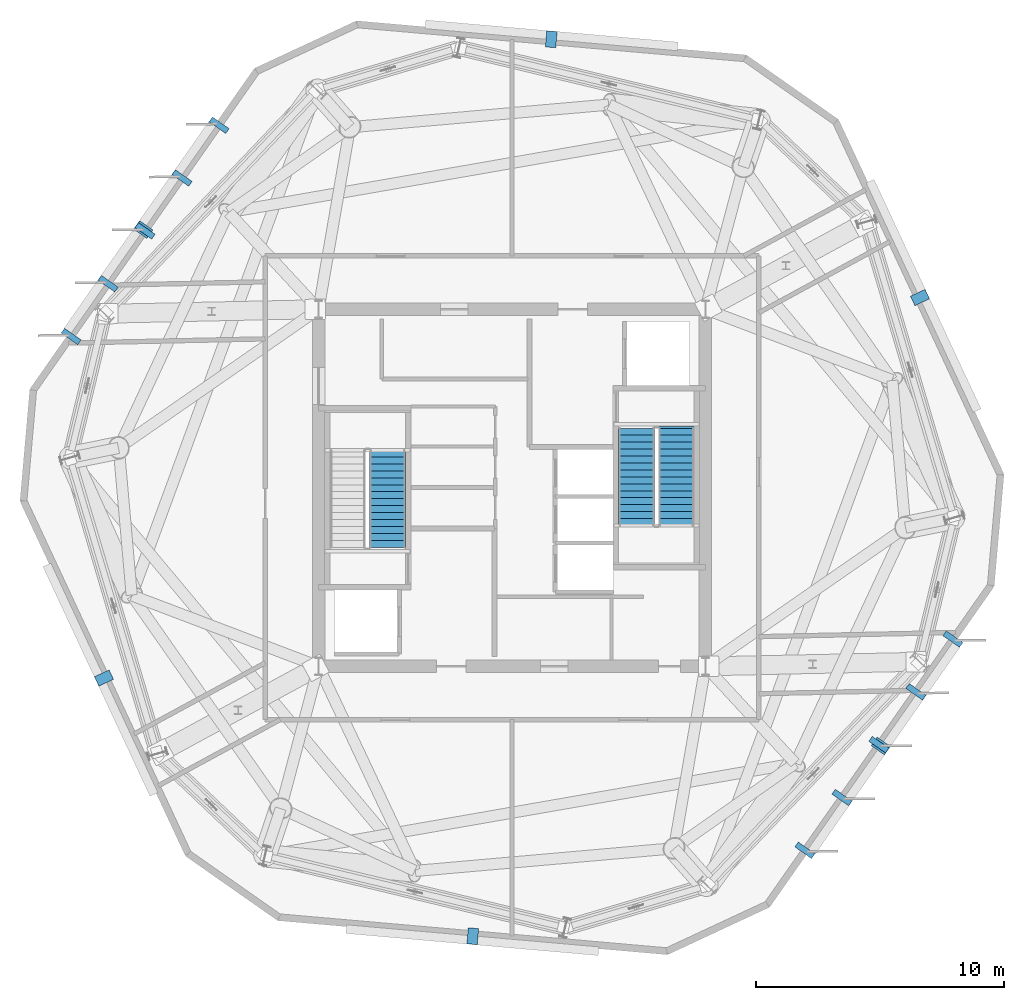
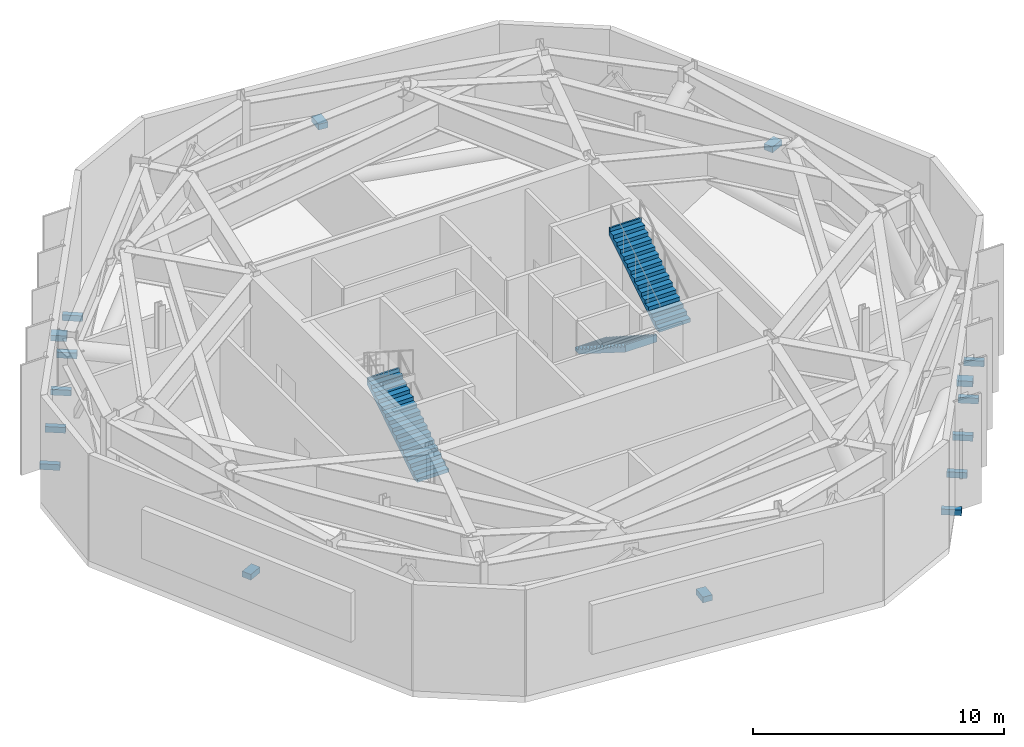
# One storey, part 7 of 10: 16 discrete accessories, 3 stair flights, 2 elements without a shape of their own.
"""IFC4 building model written with IfcOpenShell, lengths in metres."""

from ifc_helpers import new_model, si_unit, direction, frame, origin, origin_2d, place, context, subcontext, project, spatial, polyline, rectangle, outline, extrude, material, type_object, element, aggregate, save


model = new_model("IFC4")

# Units and contexts
model_context = context("Model", 3, precision=1e-05, world=origin(), true_north=direction((0.0, 1.0)))
body_context = subcontext(model_context, "Body", "Model", "MODEL_VIEW")
ifc_project = project(units=[si_unit("LENGTHUNIT", "METRE"), si_unit("AREAUNIT", "SQUARE_METRE"), si_unit("VOLUMEUNIT", "CUBIC_METRE"), si_unit("PLANEANGLEUNIT", "RADIAN"), si_unit("MASSUNIT", "GRAM", prefix="KILO")], contexts=[model_context])

# Site, building, storey
site_placement = place(None, origin())
site = spatial("IfcSite", under=ifc_project, at=site_placement, CompositionType="ELEMENT")
building_placement = place(site_placement, origin())
building = spatial("IfcBuilding", under=site, at=building_placement, Name="Kranzbogen Civic Tower", CompositionType="ELEMENT")
storey_placement = place(building_placement, frame((0.0, 0.0, 244.800048828125)))
storey = spatial("IfcBuildingStorey", under=building, at=storey_placement, Name="L59", CompositionType="ELEMENT", Elevation=244.800048828125)

# Stair, stair flight
ifc_material_1 = material(Name="Precast concrete C40/50", Category="concrete")
stair_type_1 = type_object("IfcStairType", Name="Tower Core Pressurized Dogleg Stair 1450", PredefinedType="HALF_TURN_STAIR", material=ifc_material_1)
stair_1_placement = place(storey_placement, origin())
stair_1 = element("IfcStair", 1, at=stair_1_placement, inside=storey, type_object=stair_type_1, Name="L59 Tower Core Pressurized Stair 1", PredefinedType="HALF_TURN_STAIR")
stair_flight_type = type_object("IfcStairFlightType", Name="Precast Concrete Stair Flight R180", PredefinedType="STRAIGHT", material=ifc_material_1)
stair_flight_1_placement = place(storey_placement, frame((19.97509765625, 22.60009765625, 0.0), z_axis=(0.0, 0.0, 1.0), x_axis=(0.0, 1.0, 0.0)))
stair_flight_1 = element("IfcStairFlight", 2, at=stair_flight_1_placement, type_object=stair_flight_type, Name="ST-T1 flight 1", NumberOfRisers=15, NumberOfTreads=14, PredefinedType="STRAIGHT", RiserHeight=0.18, TreadLength=0.28, context=body_context, shape_type="SweptSolid", body=[
    extrude(outline(polyline([(0.0, 0.0), (0.0, 0.179931640625), (0.280029296875, 0.179931640625), (0.280029296875, 0.360107421875), (0.56005859375, 0.360107421875), (0.56005859375, 0.5400390625), (0.840087890625, 0.5400390625), (0.840087890625, 0.719970703125), (1.1201171875, 0.719970703125), (1.1201171875, 0.89990234375), (1.39990234375, 0.89990234375), (1.39990234375, 1.080078125), (1.679931640625, 1.080078125), (1.679931640625, 1.260009765625), (1.9599609375, 1.260009765625), (1.9599609375, 1.43994140625), (2.239990234375, 1.43994140625), (2.239990234375, 1.6201171875), (2.52001953125, 1.6201171875), (2.52001953125, 1.800048828125), (2.800048828125, 1.800048828125), (2.800048828125, 1.97998046875), (3.080078125, 1.97998046875), (3.080078125, 2.159912109375), (3.360107421875, 2.159912109375), (3.360107421875, 2.340087890625), (3.639892578125, 2.340087890625), (3.639892578125, 2.52001953125), (3.919921875, 2.52001953125), (3.919921875, 2.699951171875), (4.0, 2.699951171875), (4.0, 2.341796875), (0.277099609375, 0.0), (0.0, 0.0)])), frame((0.0, 0.72509765625, 0.0), z_axis=(0.0, -1.0, 0.0), x_axis=(1.0, 0.0, 0.0)), (0.0, 0.0, 1.0), 1.449951171875),
])
aggregate(stair_1, [stair_flight_1])

# Stair, stair flights
stair_type_2 = type_object("IfcStairType", Name="Tower Core Secondary Dogleg Stair 1450", PredefinedType="HALF_TURN_STAIR", material=ifc_material_1)
stair_2_placement = place(storey_placement, origin())
stair_2 = element("IfcStair", 3, at=stair_2_placement, inside=storey, type_object=stair_type_2, Name="L59 Tower Core Pressurized Stair 2", PredefinedType="HALF_TURN_STAIR")
stair_flight_2_placement = place(storey_placement, frame((30.02490234375, 27.39990234375, 0.0), z_axis=(0.0, 0.0, 1.0), x_axis=(0.0, -1.0, 0.0)))
stair_flight_2 = element("IfcStairFlight", 4, at=stair_flight_2_placement, type_object=stair_flight_type, Name="ST-T2 flight 1", NumberOfRisers=15, NumberOfTreads=14, PredefinedType="STRAIGHT", RiserHeight=0.18, TreadLength=0.28, context=body_context, shape_type="SweptSolid", body=[
    extrude(outline(polyline([(0.0, 0.0), (0.0, 0.179931640625), (0.280029296875, 0.179931640625), (0.280029296875, 0.360107421875), (0.56005859375, 0.360107421875), (0.56005859375, 0.5400390625), (0.840087890625, 0.5400390625), (0.840087890625, 0.719970703125), (1.1201171875, 0.719970703125), (1.1201171875, 0.89990234375), (1.39990234375, 0.89990234375), (1.39990234375, 1.080078125), (1.679931640625, 1.080078125), (1.679931640625, 1.260009765625), (1.9599609375, 1.260009765625), (1.9599609375, 1.43994140625), (2.239990234375, 1.43994140625), (2.239990234375, 1.6201171875), (2.52001953125, 1.6201171875), (2.52001953125, 1.800048828125), (2.800048828125, 1.800048828125), (2.800048828125, 1.97998046875), (3.080078125, 1.97998046875), (3.080078125, 2.159912109375), (3.360107421875, 2.159912109375), (3.360107421875, 2.340087890625), (3.639892578125, 2.340087890625), (3.639892578125, 2.52001953125), (3.919921875, 2.52001953125), (3.919921875, 2.699951171875), (4.0, 2.699951171875), (4.0, 2.341796875), (0.277099609375, 0.0), (0.0, 0.0)])), frame((0.0, 0.72509765625, 0.0), z_axis=(0.0, -1.0, 0.0), x_axis=(1.0, 0.0, 0.0)), (0.0, 0.0, 1.0), 1.449951171875),
])
stair_flight_3_placement = place(storey_placement, frame((31.625, 23.47998046875, 2.699951171875), z_axis=(0.0, 0.0, 1.0), x_axis=(0.0, 1.0, 0.0)))
stair_flight_3 = element("IfcStairFlight", 5, at=stair_flight_3_placement, type_object=stair_flight_type, Name="ST-T2 flight 2", NumberOfRisers=15, NumberOfTreads=14, PredefinedType="STRAIGHT", RiserHeight=0.18, TreadLength=0.28, context=body_context, shape_type="SweptSolid", body=[
    extrude(outline(polyline([(0.0, 0.0), (0.0, 0.179931640625), (0.280029296875, 0.179931640625), (0.280029296875, 0.360107421875), (0.56005859375, 0.360107421875), (0.56005859375, 0.5400390625), (0.840087890625, 0.5400390625), (0.840087890625, 0.719970703125), (1.1201171875, 0.719970703125), (1.1201171875, 0.89990234375), (1.39990234375, 0.89990234375), (1.39990234375, 1.080078125), (1.679931640625, 1.080078125), (1.679931640625, 1.260009765625), (1.9599609375, 1.260009765625), (1.9599609375, 1.43994140625), (2.239990234375, 1.43994140625), (2.239990234375, 1.6201171875), (2.52001953125, 1.6201171875), (2.52001953125, 1.800048828125), (2.800048828125, 1.800048828125), (2.800048828125, 1.97998046875), (3.080078125, 1.97998046875), (3.080078125, 2.159912109375), (3.360107421875, 2.159912109375), (3.360107421875, 2.340087890625), (3.639892578125, 2.340087890625), (3.639892578125, 2.52001953125), (3.919921875, 2.52001953125), (3.919921875, 2.699951171875), (4.0, 2.699951171875), (4.0, 2.341796875), (0.277099609375, 0.0), (0.0, 0.0)])), frame((0.0, 0.72509765625, 0.0), z_axis=(0.0, -1.0, 0.0), x_axis=(1.0, 0.0, 0.0)), (0.0, 0.0, 1.0), 1.449951171875),
])
aggregate(stair_2, [stair_flight_2, stair_flight_3])

# Discrete accessories
ifc_material_2 = material(Name="Steel S355", Category="steel")
discrete_accessory_type = type_object("IfcDiscreteAccessoryType", Name="Structural Curtain-Wall Fin Support Bracket", PredefinedType="BRACKET", material=ifc_material_2)
for number, where, z_axis, x_axis, name in (
    (6, (26.58203125, 43.08203125, 2.44970703125), (0.0, 0.0, 1.0), (0.087155742748, 0.996194698092, 0.0), "L59 louvre mounting bracket 1"),
    (7, (10.131103515625, 35.410888671875, 2.44970703125), (0.0, 0.0, 1.0), (-0.819152044289, 0.573576436351, 0.0), "L59 louvre mounting bracket 2"),
):
    element("IfcDiscreteAccessory", number, at=place(storey_placement, frame(where, z_axis=z_axis, x_axis=x_axis)), inside=storey, type_object=discrete_accessory_type, Name=name, PredefinedType="BRACKET", context=body_context, shape_type="SweptSolid", body=[
        extrude(rectangle(XDim=0.64990234375, YDim=0.419921875, at=origin_2d()), origin(), (0.0, 0.0, 1.0), 0.280029296875),
    ])
for number, where, z_axis, x_axis, name in (
    (8, (13.18896484375, 39.617919921875, -0.25), (0.0, 0.0, 1.0), (-0.819152044289, 0.573576436351, 0.0), "L59 facade fin support bracket F2-1"),
    (9, (11.697021484375, 37.489013671875, -0.25), (0.0, 0.0, 1.0), (-0.819152044289, 0.573576436351, 0.0), "L59 facade fin support bracket F2-2"),
    (10, (10.2060546875, 35.35888671875, -0.25), (0.0, 0.0, 1.0), (-0.819152044289, 0.573576436351, 0.0), "L59 facade fin support bracket F2-3"),
    (11, (8.715087890625, 33.22900390625, -0.25), (0.0, 0.0, 1.0), (-0.819152044289, 0.573576436351, 0.0), "L59 facade fin support bracket F2-4"),
    (12, (7.22412109375, 31.09912109375, -0.25), (0.0, 0.0, 1.0), (-0.819152044289, 0.573576436351, 0.0), "L59 facade fin support bracket F2-5"),
):
    element("IfcDiscreteAccessory", number, at=place(storey_placement, frame(where, z_axis=z_axis, x_axis=x_axis)), inside=storey, type_object=discrete_accessory_type, Name=name, PredefinedType="BRACKET", context=body_context, shape_type="SweptSolid", body=[
        extrude(rectangle(XDim=0.820068359375, YDim=0.239990234375, at=origin_2d()), origin(), (0.0, 0.0, 1.0), 0.280029296875),
    ])
for number, where, z_axis, x_axis, name in (
    (13, (8.549072265625, 17.3291015625, 2.44970703125), (0.0, 0.0, 1.0), (-0.906307787037, -0.422618261741, 0.0), "L59 louvre mounting bracket 3"),
    (14, (23.41796875, 6.91796875, 2.44970703125), (0.0, 0.0, 1.0), (-0.087155742748, -0.996194698092, 0.0), "L59 louvre mounting bracket 4"),
    (15, (39.868896484375, 14.589111328125, 2.44970703125), (0.0, 0.0, 1.0), (0.819152044289, -0.573576436351, 0.0), "L59 louvre mounting bracket 5"),
):
    element("IfcDiscreteAccessory", number, at=place(storey_placement, frame(where, z_axis=z_axis, x_axis=x_axis)), inside=storey, type_object=discrete_accessory_type, Name=name, PredefinedType="BRACKET", context=body_context, shape_type="SweptSolid", body=[
        extrude(rectangle(XDim=0.64990234375, YDim=0.419921875, at=origin_2d()), origin(), (0.0, 0.0, 1.0), 0.280029296875),
    ])
for number, where, z_axis, x_axis, name in (
    (16, (36.81103515625, 10.382080078125, -0.25), (0.0, 0.0, 1.0), (0.819152044289, -0.573576436351, 0.0), "L59 facade fin support bracket F5-1"),
    (17, (38.302978515625, 12.510986328125, -0.25), (0.0, 0.0, 1.0), (0.819152044289, -0.573576436351, 0.0), "L59 facade fin support bracket F5-2"),
    (18, (39.7939453125, 14.64111328125, -0.25), (0.0, 0.0, 1.0), (0.819152044289, -0.573576436351, 0.0), "L59 facade fin support bracket F5-3"),
    (19, (41.284912109375, 16.77099609375, -0.25), (0.0, 0.0, 1.0), (0.819152044289, -0.573576436351, 0.0), "L59 facade fin support bracket F5-4"),
    (20, (42.77587890625, 18.90087890625, -0.25), (0.0, 0.0, 1.0), (0.819152044289, -0.573576436351, 0.0), "L59 facade fin support bracket F5-5"),
):
    element("IfcDiscreteAccessory", number, at=place(storey_placement, frame(where, z_axis=z_axis, x_axis=x_axis)), inside=storey, type_object=discrete_accessory_type, Name=name, PredefinedType="BRACKET", context=body_context, shape_type="SweptSolid", body=[
        extrude(rectangle(XDim=0.820068359375, YDim=0.239990234375, at=origin_2d()), origin(), (0.0, 0.0, 1.0), 0.280029296875),
    ])
discrete_accessory_placement = place(storey_placement, frame((41.450927734375, 32.6708984375, 2.44970703125), z_axis=(0.0, 0.0, 1.0), x_axis=(0.906307787037, 0.422618261741, 0.0)))
element("IfcDiscreteAccessory", 21, at=discrete_accessory_placement, inside=storey, type_object=discrete_accessory_type, Name="L59 louvre mounting bracket 6", PredefinedType="BRACKET", context=body_context, shape_type="SweptSolid", body=[
    extrude(rectangle(XDim=0.64990234375, YDim=0.419921875, at=origin_2d()), origin(), (0.0, 0.0, 1.0), 0.280029296875),
])

save(model, "model.ifc")
